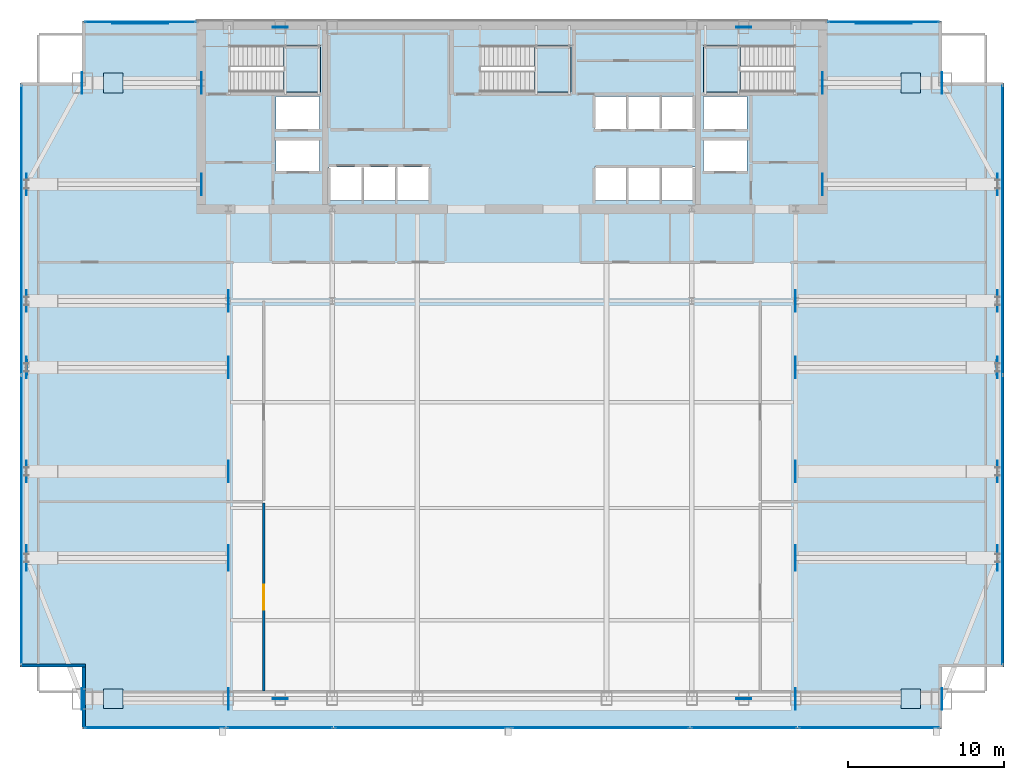
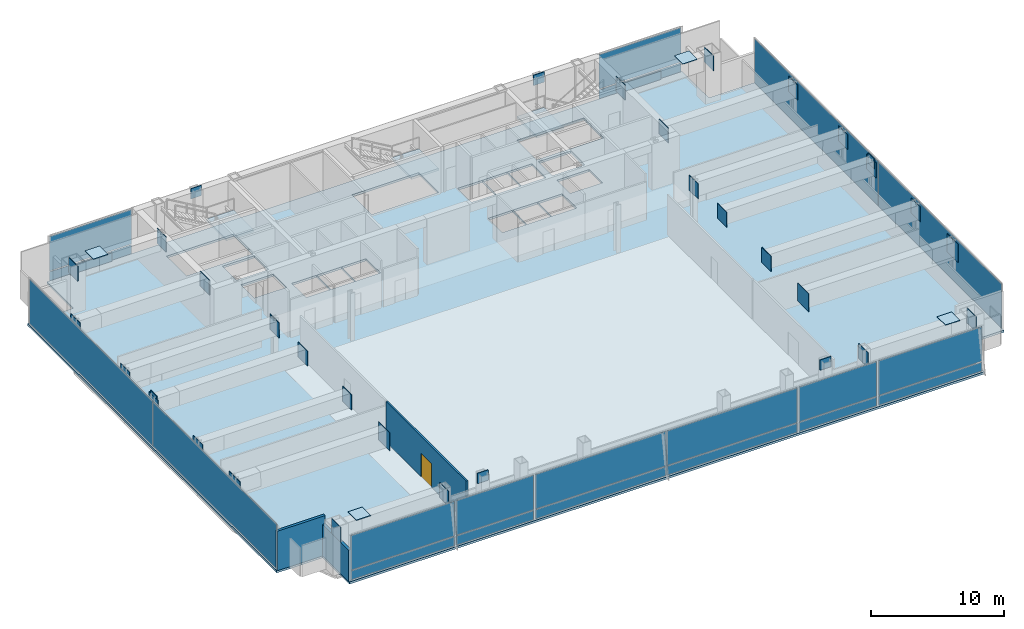
# One storey, part 20 of 25: 60 plates, 4 slabs, 3 walls, 1 door, 1 opening, 12 elements without a shape of their own.
"""IFC4 building model written with IfcOpenShell, lengths in metres."""

from ifc_helpers import new_model, si_unit, direction, frame, frame_2d, origin, origin_2d, place, context, subcontext, project, spatial, polyline, rectangle, outline, extrude, material, layer, layer_set, type_object, element, fill, aggregate, save


model = new_model("IFC4")

# Units and contexts
model_context = context("Model", 3, precision=1e-05, world=origin(), true_north=direction((0.0, 1.0)))
body_context = subcontext(model_context, "Body", "Model", "MODEL_VIEW")
ifc_project = project(units=[si_unit("LENGTHUNIT", "METRE"), si_unit("AREAUNIT", "SQUARE_METRE"), si_unit("VOLUMEUNIT", "CUBIC_METRE"), si_unit("PLANEANGLEUNIT", "RADIAN"), si_unit("MASSUNIT", "GRAM", prefix="KILO")], contexts=[model_context])

# Site, building, storey
site_placement = place(None, origin())
site = spatial("IfcSite", under=ifc_project, at=site_placement, CompositionType="ELEMENT")
building_placement = place(site_placement, origin())
building = spatial("IfcBuilding", under=site, at=building_placement, Name="Khoronbel Lancet Exchange", CompositionType="ELEMENT")
storey_placement = place(building_placement, frame((0.0, 0.0, 184.199951171875)))
storey = spatial("IfcBuildingStorey", under=building, at=storey_placement, Name="L46", CompositionType="ELEMENT", Elevation=184.199951171875)

# Curtain wall, plates
ifc_material_1 = material(Name="Low-E Solar Control Insulating Glass", Category="glass")
curtain_wall_type_1 = type_object("IfcCurtainWallType", Name="CW-4", PredefinedType="NOTDEFINED", material=ifc_material_1)
curtain_wall_1_placement = place(storey_placement, origin())
curtain_wall_1 = element("IfcCurtainWall", 1, at=curtain_wall_1_placement, inside=storey, type_object=curtain_wall_type_1, Name="Unitised curtain wall CW-L46-E03", PredefinedType="NOTDEFINED")
ifc_material_2 = material(Name="Bronze-Anodised Aluminium 6063-T6", Category="aluminium")
ifc_layer_1 = layer(ifc_material_2, 0.050048828125, Name="Bronze-Anodised Aluminium 6063-T6")
ifc_layer_set_1 = layer_set([ifc_layer_1], Name="Bronze-Anodised Aluminium 6063-T6")
plate_type_1 = type_object("IfcPlateType", Name="PLT-CSP1", PredefinedType="SHEET", material=ifc_layer_set_1)
plate_1_placement = place(storey_placement, frame((4.93994140625, 21.638671875, 0.0849609375), z_axis=(0.0, 0.0, 1.0), x_axis=(0.0, 1.0, 0.0)))
plate_1 = element("IfcPlate", 2, at=plate_1_placement, type_object=plate_type_1, Name="CW4 panel 1.1", PredefinedType="CURTAIN_PANEL", context=body_context, shape_type="SweptSolid", body=[
    extrude(rectangle(XDim=18.547607421875, YDim=0.0380859375, at=origin_2d()), origin(), (0.0, 0.0, 1.0), 4.070068359375),
])
plate_2_placement = place(storey_placement, frame((4.93994140625, 40.26123046875, 0.0849609375), z_axis=(0.0, 0.0, 1.0), x_axis=(0.0, 1.0, 0.0)))
plate_2 = element("IfcPlate", 3, at=plate_2_placement, type_object=plate_type_1, Name="CW4 panel 2.1", PredefinedType="CURTAIN_PANEL", context=body_context, shape_type="SweptSolid", body=[
    extrude(rectangle(XDim=18.547607421875, YDim=0.0380859375, at=origin_2d()), origin(), (0.0, 0.0, 1.0), 4.070068359375),
])
aggregate(curtain_wall_1, [plate_1, plate_2])

# Curtain wall, plate
curtain_wall_type_2 = type_object("IfcCurtainWallType", Name="CW-3", PredefinedType="NOTDEFINED", material=ifc_material_1)
curtain_wall_2_placement = place(storey_placement, origin())
curtain_wall_2 = element("IfcCurtainWall", 4, at=curtain_wall_2_placement, inside=storey, type_object=curtain_wall_type_2, Name="Unitised curtain wall CW-L46-NWFLK", PredefinedType="NOTDEFINED")
plate_3_placement = place(storey_placement, frame((12.580078125, 53.550048828125, 0.0498046875), z_axis=(0.0, 0.0, 1.0), x_axis=(-1.0, 0.0, 0.0)))
plate_3 = element("IfcPlate", 5, at=plate_3_placement, type_object=plate_type_1, Name="Insulated bronze spandrel cassette CW-L46-NWFLK", PredefinedType="SHEET", context=body_context, shape_type="SweptSolid", body=[
    extrude(rectangle(XDim=3.60009765625, YDim=0.050048828125, at=origin_2d()), origin(), (0.0, 0.0, 1.0), 0.800048828125),
])

curtain_wall_3_placement = place(storey_placement, origin())
curtain_wall_3 = element("IfcCurtainWall", 6, at=curtain_wall_3_placement, inside=storey, type_object=curtain_wall_type_2, Name="Unitised curtain wall CW-L46-NEFLK", PredefinedType="NOTDEFINED")
plate_4_placement = place(storey_placement, frame((60.320068359375, 53.550048828125, 0.0498046875), z_axis=(0.0, 0.0, 1.0), x_axis=(-1.0, 0.0, 0.0)))
plate_4 = element("IfcPlate", 7, at=plate_4_placement, type_object=plate_type_1, Name="Insulated bronze spandrel cassette CW-L46-NEFLK", PredefinedType="SHEET", context=body_context, shape_type="SweptSolid", body=[
    extrude(rectangle(XDim=3.60009765625, YDim=0.050048828125, at=origin_2d()), origin(), (0.0, 0.0, 1.0), 0.800048828125),
])

# Curtain wall, plates
curtain_wall_4_placement = place(storey_placement, origin())
curtain_wall_4 = element("IfcCurtainWall", 8, at=curtain_wall_4_placement, inside=storey, type_object=curtain_wall_type_1, Name="Unitised curtain wall CW-L46-E09", PredefinedType="NOTDEFINED")
plate_5_placement = place(storey_placement, frame((67.9599609375, 40.26123046875, 0.0849609375), z_axis=(0.0, 0.0, 1.0), x_axis=(0.0, -1.0, 0.0)))
plate_5 = element("IfcPlate", 9, at=plate_5_placement, type_object=plate_type_1, Name="CW4 panel 1.1", PredefinedType="CURTAIN_PANEL", context=body_context, shape_type="SweptSolid", body=[
    extrude(rectangle(XDim=18.547607421875, YDim=0.0380859375, at=origin_2d()), origin(), (0.0, 0.0, 1.0), 4.070068359375),
])
plate_6_placement = place(storey_placement, frame((67.9599609375, 21.638671875, 0.0849609375), z_axis=(0.0, 0.0, 1.0), x_axis=(0.0, -1.0, 0.0)))
plate_6 = element("IfcPlate", 10, at=plate_6_placement, type_object=plate_type_1, Name="CW4 panel 2.1", PredefinedType="CURTAIN_PANEL", context=body_context, shape_type="SweptSolid", body=[
    extrude(rectangle(XDim=18.547607421875, YDim=0.0380859375, at=origin_2d()), origin(), (0.0, 0.0, 1.0), 4.070068359375),
])
aggregate(curtain_wall_4, [plate_5, plate_6])

curtain_wall_5_placement = place(storey_placement, origin())
curtain_wall_5 = element("IfcCurtainWall", 11, at=curtain_wall_5_placement, inside=storey, type_object=curtain_wall_type_2, Name="Unitised curtain wall CW-L46-SWB", PredefinedType="NOTDEFINED")
plate_7_placement = place(storey_placement, frame((21.550048828125, 8.2900390625, 0.0849609375), z_axis=(0.0, 0.0, 1.0), x_axis=(1.0, 0.0, 0.0)))
plate_7 = element("IfcPlate", 12, at=plate_7_placement, type_object=plate_type_1, Name="CW3 panel 1.1", PredefinedType="CURTAIN_PANEL", context=body_context, shape_type="SweptSolid", body=[
    extrude(rectangle(XDim=6.72998046875, YDim=0.0380859375, at=origin_2d()), origin(), (0.0, 0.0, 1.0), 0.822509765625),
])
plate_8_placement = place(storey_placement, frame((21.550048828125, 8.2900390625, 0.992431640625), z_axis=(0.0, 0.0, 1.0), x_axis=(1.0, 0.0, 0.0)))
plate_8 = element("IfcPlate", 13, at=plate_8_placement, type_object=plate_type_1, Name="CW3 panel 1.2", PredefinedType="CURTAIN_PANEL", context=body_context, shape_type="SweptSolid", body=[
    extrude(rectangle(XDim=6.72998046875, YDim=0.0380859375, at=origin_2d()), origin(), (0.0, 0.0, 1.0), 3.16259765625),
])
aggregate(curtain_wall_5, [plate_7, plate_8])

curtain_wall_6_placement = place(storey_placement, origin())
curtain_wall_6 = element("IfcCurtainWall", 14, at=curtain_wall_6_placement, inside=storey, type_object=curtain_wall_type_2, Name="Unitised curtain wall CW-L46-SEB", PredefinedType="NOTDEFINED")
plate_9_placement = place(storey_placement, frame((51.35009765625, 8.2900390625, 0.0849609375), z_axis=(0.0, 0.0, 1.0), x_axis=(1.0, 0.0, 0.0)))
plate_9 = element("IfcPlate", 15, at=plate_9_placement, type_object=plate_type_1, Name="CW3 panel 1.1", PredefinedType="CURTAIN_PANEL", context=body_context, shape_type="SweptSolid", body=[
    extrude(rectangle(XDim=6.72998046875, YDim=0.0380859375, at=origin_2d()), origin(), (0.0, 0.0, 1.0), 0.822509765625),
])
plate_10_placement = place(storey_placement, frame((51.35009765625, 8.2900390625, 0.992431640625), z_axis=(0.0, 0.0, 1.0), x_axis=(1.0, 0.0, 0.0)))
plate_10 = element("IfcPlate", 16, at=plate_10_placement, type_object=plate_type_1, Name="CW3 panel 1.2", PredefinedType="CURTAIN_PANEL", context=body_context, shape_type="SweptSolid", body=[
    extrude(rectangle(XDim=6.72998046875, YDim=0.0380859375, at=origin_2d()), origin(), (0.0, 0.0, 1.0), 3.16259765625),
])
aggregate(curtain_wall_6, [plate_9, plate_10])

# Plate
ifc_layer_2 = layer(ifc_material_1, 0.035888671875, Name="Low-E Solar Control Insulating Glass")
ifc_layer_set_2 = layer_set([ifc_layer_2], Name="Low-E Solar Control Insulating Glass")
plate_type_2 = type_object("IfcPlateType", Name="PLT-CWP1", PredefinedType="CURTAIN_PANEL", material=ifc_layer_set_2)
plate_11_placement = place(storey_placement, frame((12.580078125, 53.610107421875, 0.0849609375), z_axis=(0.0, 0.0, 1.0), x_axis=(-1.0, 0.0, 0.0)))
plate_11 = element("IfcPlate", 17, at=plate_11_placement, type_object=plate_type_2, Name="CW3 panel 1.1", PredefinedType="CURTAIN_PANEL", context=body_context, shape_type="SweptSolid", body=[
    extrude(rectangle(XDim=7.110107421875, YDim=0.0380859375, at=origin_2d()), origin(), (0.0, 0.0, 1.0), 0.822509765625),
])

plate_12_placement = place(storey_placement, frame((12.580078125, 53.610107421875, 0.992431640625), z_axis=(0.0, 0.0, 1.0), x_axis=(-1.0, 0.0, 0.0)))
plate_12 = element("IfcPlate", 18, at=plate_12_placement, type_object=plate_type_2, Name="CW3 panel 1.2", PredefinedType="CURTAIN_PANEL", context=body_context, shape_type="SweptSolid", body=[
    extrude(rectangle(XDim=7.110107421875, YDim=0.0380859375, at=origin_2d()), origin(), (0.0, 0.0, 1.0), 3.16259765625),
])

aggregate(curtain_wall_2, [plate_11, plate_12, plate_3])

plate_13_placement = place(storey_placement, frame((60.320068359375, 53.610107421875, 0.0849609375), z_axis=(0.0, 0.0, 1.0), x_axis=(-1.0, 0.0, 0.0)))
plate_13 = element("IfcPlate", 19, at=plate_13_placement, type_object=plate_type_2, Name="CW3 panel 1.1", PredefinedType="CURTAIN_PANEL", context=body_context, shape_type="SweptSolid", body=[
    extrude(rectangle(XDim=7.110107421875, YDim=0.0380859375, at=origin_2d()), origin(), (0.0, 0.0, 1.0), 0.822509765625),
])

plate_14_placement = place(storey_placement, frame((60.320068359375, 53.610107421875, 0.992431640625), z_axis=(0.0, 0.0, 1.0), x_axis=(-1.0, 0.0, 0.0)))
plate_14 = element("IfcPlate", 20, at=plate_14_placement, type_object=plate_type_2, Name="CW3 panel 1.2", PredefinedType="CURTAIN_PANEL", context=body_context, shape_type="SweptSolid", body=[
    extrude(rectangle(XDim=7.110107421875, YDim=0.0380859375, at=origin_2d()), origin(), (0.0, 0.0, 1.0), 3.16259765625),
])

aggregate(curtain_wall_3, [plate_13, plate_14, plate_4])

# Curtain wall, plates
curtain_wall_7_placement = place(storey_placement, origin())
curtain_wall_7 = element("IfcCurtainWall", 21, at=curtain_wall_7_placement, inside=storey, type_object=curtain_wall_type_2, Name="Unitised curtain wall CW-L46-SWV", PredefinedType="NOTDEFINED")
plate_15_placement = place(storey_placement, frame((13.52001953125, 8.2900390625, 0.0849609375), z_axis=(0.0, 0.0, 1.0), x_axis=(1.0, 0.0, 0.0)))
plate_15 = element("IfcPlate", 22, at=plate_15_placement, type_object=plate_type_2, Name="CW3 panel 1.1", PredefinedType="CURTAIN_PANEL", context=body_context, shape_type="SweptSolid", body=[
    extrude(rectangle(XDim=8.989990234375, YDim=0.0380859375, at=origin_2d()), origin(), (0.0, 0.0, 1.0), 0.822509765625),
])
plate_16_placement = place(storey_placement, frame((13.52001953125, 8.2900390625, 0.992431640625), z_axis=(0.0, 0.0, 1.0), x_axis=(1.0, 0.0, 0.0)))
plate_16 = element("IfcPlate", 23, at=plate_16_placement, type_object=plate_type_2, Name="CW3 panel 1.2", PredefinedType="CURTAIN_PANEL", context=body_context, shape_type="SweptSolid", body=[
    extrude(rectangle(XDim=8.989990234375, YDim=0.0380859375, at=origin_2d()), origin(), (0.0, 0.0, 1.0), 3.16259765625),
])
aggregate(curtain_wall_7, [plate_15, plate_16])

curtain_wall_8_placement = place(storey_placement, origin())
curtain_wall_8 = element("IfcCurtainWall", 24, at=curtain_wall_8_placement, inside=storey, type_object=curtain_wall_type_2, Name="Unitised curtain wall CW-L46-SCV", PredefinedType="NOTDEFINED")
plate_17_placement = place(storey_placement, frame((30.746337890625, 8.2900390625, 0.0849609375), z_axis=(0.0, 0.0, 1.0), x_axis=(1.0, 0.0, 0.0)))
plate_17 = element("IfcPlate", 25, at=plate_17_placement, type_object=plate_type_2, Name="CW3 panel 1.1", PredefinedType="CURTAIN_PANEL", context=body_context, shape_type="SweptSolid", body=[
    extrude(rectangle(XDim=11.322509765625, YDim=0.0380859375, at=origin_2d()), origin(), (0.0, 0.0, 1.0), 0.822509765625),
])
plate_18_placement = place(storey_placement, frame((30.746337890625, 8.2900390625, 0.992431640625), z_axis=(0.0, 0.0, 1.0), x_axis=(1.0, 0.0, 0.0)))
plate_18 = element("IfcPlate", 26, at=plate_18_placement, type_object=plate_type_2, Name="CW3 panel 1.2", PredefinedType="CURTAIN_PANEL", context=body_context, shape_type="SweptSolid", body=[
    extrude(rectangle(XDim=11.322509765625, YDim=0.0380859375, at=origin_2d()), origin(), (0.0, 0.0, 1.0), 3.16259765625),
])
plate_19_placement = place(storey_placement, frame((42.15380859375, 8.2900390625, 0.0849609375), z_axis=(0.0, 0.0, 1.0), x_axis=(1.0, 0.0, 0.0)))
plate_19 = element("IfcPlate", 27, at=plate_19_placement, type_object=plate_type_2, Name="CW3 panel 2.1", PredefinedType="CURTAIN_PANEL", context=body_context, shape_type="SweptSolid", body=[
    extrude(rectangle(XDim=11.322509765625, YDim=0.0380859375, at=origin_2d()), origin(), (0.0, 0.0, 1.0), 0.822509765625),
])
plate_20_placement = place(storey_placement, frame((42.15380859375, 8.2900390625, 0.992431640625), z_axis=(0.0, 0.0, 1.0), x_axis=(1.0, 0.0, 0.0)))
plate_20 = element("IfcPlate", 28, at=plate_20_placement, type_object=plate_type_2, Name="CW3 panel 2.2", PredefinedType="CURTAIN_PANEL", context=body_context, shape_type="SweptSolid", body=[
    extrude(rectangle(XDim=11.322509765625, YDim=0.0380859375, at=origin_2d()), origin(), (0.0, 0.0, 1.0), 3.16259765625),
])
aggregate(curtain_wall_8, [plate_17, plate_18, plate_19, plate_20])

curtain_wall_9_placement = place(storey_placement, origin())
curtain_wall_9 = element("IfcCurtainWall", 29, at=curtain_wall_9_placement, inside=storey, type_object=curtain_wall_type_2, Name="Unitised curtain wall CW-L46-SEV", PredefinedType="NOTDEFINED")
plate_21_placement = place(storey_placement, frame((59.3798828125, 8.2900390625, 0.0849609375), z_axis=(0.0, 0.0, 1.0), x_axis=(1.0, 0.0, 0.0)))
plate_21 = element("IfcPlate", 30, at=plate_21_placement, type_object=plate_type_2, Name="CW3 panel 1.1", PredefinedType="CURTAIN_PANEL", context=body_context, shape_type="SweptSolid", body=[
    extrude(rectangle(XDim=8.989990234375, YDim=0.0380859375, at=origin_2d()), origin(), (0.0, 0.0, 1.0), 0.822509765625),
])
plate_22_placement = place(storey_placement, frame((59.3798828125, 8.2900390625, 0.992431640625), z_axis=(0.0, 0.0, 1.0), x_axis=(1.0, 0.0, 0.0)))
plate_22 = element("IfcPlate", 31, at=plate_22_placement, type_object=plate_type_2, Name="CW3 panel 1.2", PredefinedType="CURTAIN_PANEL", context=body_context, shape_type="SweptSolid", body=[
    extrude(rectangle(XDim=8.989990234375, YDim=0.0380859375, at=origin_2d()), origin(), (0.0, 0.0, 1.0), 3.16259765625),
])
aggregate(curtain_wall_9, [plate_21, plate_22])

# Plates
ifc_material_3 = material(Name="Steel S460", Category="steel")
ifc_layer_3 = layer(ifc_material_3, 0.044921875, Name="Steel S460")
ifc_layer_set_3 = layer_set([ifc_layer_3], Name="Steel S460")
plate_type_3 = type_object("IfcPlateType", Name="PLT-ECP1", PredefinedType="USERDEFINED", material=ifc_layer_set_3)
for number, where, z_axis, x_axis, name in (
    (32, (8.840087890625, 10.14990234375, 2.89013671875), (0.0, 0.0, 1.0), (-1.0, 0.0, 0.0), "Hollow end cap plate PLT-CAP-BM-L46-ZTG-MC-SW-0"),
    (33, (18.235107421875, 10.14990234375, 2.89013671875), (0.0, 0.0, 1.0), (1.0, 0.0, 0.0), "Hollow end cap plate PLT-CAP-BM-L46-ZTG-MC-SW-1"),
    (34, (54.6650390625, 10.14990234375, 2.89013671875), (0.0, 0.0, 1.0), (-1.0, 0.0, 0.0), "Hollow end cap plate PLT-CAP-BM-L46-ZTG-MC-SE-0"),
    (35, (64.06005859375, 10.14990234375, 2.89013671875), (0.0, 0.0, 1.0), (1.0, 0.0, 0.0), "Hollow end cap plate PLT-CAP-BM-L46-ZTG-MC-SE-1"),
    (36, (8.840087890625, 49.699951171875, 2.89013671875), (0.0, 0.0, 1.0), (-1.0, 0.0, 0.0), "Hollow end cap plate PLT-CAP-BM-L46-ZTG-MC-NW-0"),
    (37, (16.510009765625, 49.699951171875, 2.89013671875), (0.0, 0.0, 1.0), (1.0, 0.0, 0.0), "Hollow end cap plate PLT-CAP-BM-L46-ZTG-MC-NW-1"),
    (38, (56.389892578125, 49.699951171875, 2.89013671875), (0.0, 0.0, 1.0), (-1.0, 0.0, 0.0), "Hollow end cap plate PLT-CAP-BM-L46-ZTG-MC-NE-0"),
    (39, (64.06005859375, 49.699951171875, 2.89013671875), (0.0, 0.0, 1.0), (1.0, 0.0, 0.0), "Hollow end cap plate PLT-CAP-BM-L46-ZTG-MC-NE-1"),
):
    element("IfcPlate", number, at=place(storey_placement, frame(where, z_axis=z_axis, x_axis=x_axis)), inside=storey, type_object=plate_type_3, Name=name, ObjectType="STIFFENER_PLATE", PredefinedType="USERDEFINED", context=body_context, shape_type="SweptSolid", body=[
        extrude(rectangle(XDim=0.044921875, YDim=1.3798828125, at=origin_2d()), origin(), (0.0, 0.0, 1.0), 1.3798828125),
    ])
for number, where, z_axis, x_axis, name in (
    (40, (5.260009765625, 19.199951171875, 2.60986328125), (0.0, 0.0, 1.0), (-1.0, 0.0, 0.0), "Hollow end cap plate PLT-CAP-BM-L46-ZTG-LW1-0"),
    (41, (18.235107421875, 19.199951171875, 2.60986328125), (0.0, 0.0, 1.0), (1.0, 0.0, 0.0), "Hollow end cap plate PLT-CAP-BM-L46-ZTG-LW1-1"),
    (42, (54.6650390625, 19.199951171875, 2.60986328125), (0.0, 0.0, 1.0), (-1.0, 0.0, 0.0), "Hollow end cap plate PLT-CAP-BM-L46-ZTG-LE1-0"),
    (43, (67.639892578125, 19.199951171875, 2.60986328125), (0.0, 0.0, 1.0), (1.0, 0.0, 0.0), "Hollow end cap plate PLT-CAP-BM-L46-ZTG-LE1-1"),
):
    element("IfcPlate", number, at=place(storey_placement, frame(where, z_axis=z_axis, x_axis=x_axis)), inside=storey, type_object=plate_type_3, Name=name, ObjectType="STIFFENER_PLATE", PredefinedType="USERDEFINED", context=body_context, shape_type="SweptSolid", body=[
        extrude(rectangle(XDim=0.044921875, YDim=1.659912109375, at=origin_2d()), origin(), (0.0, 0.0, 1.0), 1.659912109375),
    ])
for number, where, z_axis, x_axis, name in (
    (44, (5.260009765625, 24.75, 2.89013671875), (0.0, 0.0, 1.0), (-1.0, 0.0, 0.0), "Hollow end cap plate PLT-CAP-BM-L46-ZTG-LW2-0"),
    (45, (18.235107421875, 24.75, 2.89013671875), (0.0, 0.0, 1.0), (1.0, 0.0, 0.0), "Hollow end cap plate PLT-CAP-BM-L46-ZTG-LW2-1"),
    (46, (54.6650390625, 24.75, 2.89013671875), (0.0, 0.0, 1.0), (-1.0, 0.0, 0.0), "Hollow end cap plate PLT-CAP-BM-L46-ZTG-LE2-0"),
    (47, (67.639892578125, 24.75, 2.89013671875), (0.0, 0.0, 1.0), (1.0, 0.0, 0.0), "Hollow end cap plate PLT-CAP-BM-L46-ZTG-LE2-1"),
    (48, (5.260009765625, 31.425048828125, 2.89013671875), (0.0, 0.0, 1.0), (-1.0, 0.0, 0.0), "Hollow end cap plate PLT-CAP-BM-L46-ZTG-LW3-0"),
    (49, (18.235107421875, 31.425048828125, 2.89013671875), (0.0, 0.0, 1.0), (1.0, 0.0, 0.0), "Hollow end cap plate PLT-CAP-BM-L46-ZTG-LW3-1"),
    (50, (54.6650390625, 31.425048828125, 2.89013671875), (0.0, 0.0, 1.0), (-1.0, 0.0, 0.0), "Hollow end cap plate PLT-CAP-BM-L46-ZTG-LE3-0"),
    (51, (67.639892578125, 31.425048828125, 2.89013671875), (0.0, 0.0, 1.0), (1.0, 0.0, 0.0), "Hollow end cap plate PLT-CAP-BM-L46-ZTG-LE3-1"),
    (52, (5.260009765625, 35.699951171875, 2.89013671875), (0.0, 0.0, 1.0), (-1.0, 0.0, 0.0), "Hollow end cap plate PLT-CAP-BM-L46-ZTG-LW4-0"),
    (53, (18.235107421875, 35.699951171875, 2.89013671875), (0.0, 0.0, 1.0), (1.0, 0.0, 0.0), "Hollow end cap plate PLT-CAP-BM-L46-ZTG-LW4-1"),
    (54, (54.6650390625, 35.699951171875, 2.89013671875), (0.0, 0.0, 1.0), (-1.0, 0.0, 0.0), "Hollow end cap plate PLT-CAP-BM-L46-ZTG-LE4-0"),
    (55, (67.639892578125, 35.699951171875, 2.89013671875), (0.0, 0.0, 1.0), (1.0, 0.0, 0.0), "Hollow end cap plate PLT-CAP-BM-L46-ZTG-LE4-1"),
    (56, (5.260009765625, 43.199951171875, 2.89013671875), (0.0, 0.0, 1.0), (-1.0, 0.0, 0.0), "Hollow end cap plate PLT-CAP-BM-L46-ZTG-LW5-0"),
    (57, (16.510009765625, 43.199951171875, 2.89013671875), (0.0, 0.0, 1.0), (1.0, 0.0, 0.0), "Hollow end cap plate PLT-CAP-BM-L46-ZTG-LW5-1"),
    (58, (56.389892578125, 43.199951171875, 2.89013671875), (0.0, 0.0, 1.0), (-1.0, 0.0, 0.0), "Hollow end cap plate PLT-CAP-BM-L46-ZTG-LE5-0"),
    (59, (67.639892578125, 43.199951171875, 2.89013671875), (0.0, 0.0, 1.0), (1.0, 0.0, 0.0), "Hollow end cap plate PLT-CAP-BM-L46-ZTG-LE5-1"),
):
    element("IfcPlate", number, at=place(storey_placement, frame(where, z_axis=z_axis, x_axis=x_axis)), inside=storey, type_object=plate_type_3, Name=name, ObjectType="STIFFENER_PLATE", PredefinedType="USERDEFINED", context=body_context, shape_type="SweptSolid", body=[
        extrude(rectangle(XDim=0.044921875, YDim=1.3798828125, at=origin_2d()), origin(), (0.0, 0.0, 1.0), 1.3798828125),
    ])
plate_23_placement = place(storey_placement, frame((0.0, 0.0, 4.366943359375)))
element("IfcPlate", 60, at=plate_23_placement, inside=storey, type_object=plate_type_3, Name="Hollow end cap plate PLT-CAP-COL-L47-MC-SW-BOT", ObjectType="STIFFENER_PLATE", PredefinedType="USERDEFINED", context=body_context, shape_type="SweptSolid", body=[
    extrude(outline(polyline([(10.219970703125, 9.52001953125), (11.47998046875, 9.52001953125), (11.47998046875, 10.780029296875), (10.219970703125, 10.780029296875), (10.219970703125, 9.52001953125)])), origin(), (0.0, 0.0, 1.0), 0.045166015625),
])
plate_24_placement = place(storey_placement, frame((0.0, 0.0, 4.366943359375)))
element("IfcPlate", 61, at=plate_24_placement, inside=storey, type_object=plate_type_3, Name="Hollow end cap plate PLT-CAP-COL-L47-MC-SE-BOT", ObjectType="STIFFENER_PLATE", PredefinedType="USERDEFINED", context=body_context, shape_type="SweptSolid", body=[
    extrude(outline(polyline([(61.419921875, 9.52001953125), (62.679931640625, 9.52001953125), (62.679931640625, 10.780029296875), (61.419921875, 10.780029296875), (61.419921875, 9.52001953125)])), origin(), (0.0, 0.0, 1.0), 0.045166015625),
])
plate_25_placement = place(storey_placement, frame((0.0, 0.0, 4.366943359375)))
element("IfcPlate", 62, at=plate_25_placement, inside=storey, type_object=plate_type_3, Name="Hollow end cap plate PLT-CAP-COL-L47-MC-NE-BOT", ObjectType="STIFFENER_PLATE", PredefinedType="USERDEFINED", context=body_context, shape_type="SweptSolid", body=[
    extrude(outline(polyline([(61.419921875, 49.070068359375), (62.679931640625, 49.070068359375), (62.679931640625, 50.330078125), (61.419921875, 50.330078125), (61.419921875, 49.070068359375)])), origin(), (0.0, 0.0, 1.0), 0.045166015625),
])
plate_26_placement = place(storey_placement, frame((0.0, 0.0, 4.366943359375)))
element("IfcPlate", 63, at=plate_26_placement, inside=storey, type_object=plate_type_3, Name="Hollow end cap plate PLT-CAP-COL-L47-MC-NW-BOT", ObjectType="STIFFENER_PLATE", PredefinedType="USERDEFINED", context=body_context, shape_type="SweptSolid", body=[
    extrude(outline(polyline([(10.219970703125, 49.070068359375), (11.47998046875, 49.070068359375), (11.47998046875, 50.330078125), (10.219970703125, 50.330078125), (10.219970703125, 49.070068359375)])), origin(), (0.0, 0.0, 1.0), 0.045166015625),
])
ifc_layer_4 = layer(ifc_material_3, 0.06005859375, Name="Steel S460")
ifc_layer_set_4 = layer_set([ifc_layer_4], Name="Steel S460")
plate_type_4 = type_object("IfcPlateType", Name="PLT-ND2", PredefinedType="USERDEFINED", material=ifc_layer_set_4)
for number, where, z_axis, x_axis, name in (
    (64, (21.5625, 10.14990234375, 3.5751953125), (0.0, 0.0, 1.0), (1.0, 0.0, 0.0), "ND2 perimeter brace node gusset T15-S-W"),
    (65, (51.33740234375, 10.14990234375, 3.5751953125), (0.0, 0.0, 1.0), (1.0, 0.0, 0.0), "ND2 perimeter brace node gusset T15-S-E"),
    (66, (21.5625, 53.280029296875, 3.5751953125), (0.0, 0.0, 1.0), (1.0, 0.0, 0.0), "ND2 perimeter brace node gusset T15-N-W"),
    (67, (51.33740234375, 53.280029296875, 3.5751953125), (0.0, 0.0, 1.0), (1.0, 0.0, 0.0), "ND2 perimeter brace node gusset T15-N-E"),
    (68, (5.27001953125, 31.425048828125, 3.5751953125), (0.0, 0.0, 1.0), (0.0, 1.0, 0.0), "ND2 perimeter brace node gusset T15-W-P"),
    (69, (67.6298828125, 31.425048828125, 3.5751953125), (0.0, 0.0, 1.0), (0.0, 1.0, 0.0), "ND2 perimeter brace node gusset T15-E-P"),
):
    element("IfcPlate", number, at=place(storey_placement, frame(where, z_axis=z_axis, x_axis=x_axis)), inside=storey, type_object=plate_type_4, Name=name, ObjectType="GUSSET_PLATE", PredefinedType="USERDEFINED", context=body_context, shape_type="SweptSolid", body=[
        extrude(rectangle(XDim=0.949951171875, YDim=0.06005859375, at=origin_2d()), origin(), (0.0, 0.0, 1.0), 0.949951171875),
    ])

# Slab
ifc_material_4 = material(Name="Concrete C40/50", Category="concrete")
ifc_layer_5 = layer(ifc_material_4, 0.199951171875, Name="Concrete C40/50")
ifc_layer_set_5 = layer_set([ifc_layer_5], Name="Concrete C40/50")
slab_type_1 = type_object("IfcSlabType", Name="SL-FL200", PredefinedType="FLOOR", material=ifc_layer_set_5)
slab_1_placement = place(storey_placement, frame((0.0, 0.0, -0.199951171875)))
element("IfcSlab", 70, at=slab_1_placement, inside=storey, type_object=slab_type_1, Name="Level L46 composite structural floor slab", PredefinedType="FLOOR", context=body_context, shape_type="SweptSolid", body=[
    extrude(outline(polyline([(8.85009765625, 8.199951171875), (64.050048828125, 8.199951171875), (64.050048828125, 12.199951171875), (68.050048828125, 12.199951171875), (68.050048828125, 16.199951171875), (68.050048828125, 45.699951171875), (68.050048828125, 49.699951171875), (64.050048828125, 49.699951171875), (64.050048828125, 53.699951171875), (8.85009765625, 53.699951171875), (8.85009765625, 49.699951171875), (4.85009765625, 49.699951171875), (4.85009765625, 45.699951171875), (4.85009765625, 16.199951171875), (4.85009765625, 12.199951171875), (8.85009765625, 12.199951171875), (8.85009765625, 8.199951171875)]), holes=[polyline([(18.324951171875, 49.1201171875), (24.14990234375, 49.1201171875), (24.14990234375, 52.10009765625), (18.324951171875, 52.10009765625), (18.324951171875, 49.1201171875)]), polyline([(48.75, 49.1201171875), (54.574951171875, 49.1201171875), (54.574951171875, 52.10009765625), (48.75, 52.10009765625), (48.75, 49.1201171875)]), polyline([(34.425048828125, 49.1201171875), (40.25, 49.1201171875), (40.25, 52.10009765625), (34.425048828125, 52.10009765625), (34.425048828125, 49.1201171875)]), polyline([(24.699951171875, 42.14990234375), (26.840087890625, 42.14990234375), (26.840087890625, 44.300048828125), (24.699951171875, 44.300048828125), (24.699951171875, 42.14990234375)]), polyline([(26.860107421875, 42.14990234375), (29.0, 42.14990234375), (29.0, 44.300048828125), (26.860107421875, 44.300048828125), (26.860107421875, 42.14990234375)]), polyline([(29.02001953125, 42.14990234375), (31.159912109375, 42.14990234375), (31.159912109375, 44.300048828125), (29.02001953125, 44.300048828125), (29.02001953125, 42.14990234375)]), polyline([(41.739990234375, 46.75), (43.8798828125, 46.75), (43.8798828125, 48.85009765625), (41.739990234375, 48.85009765625), (41.739990234375, 46.75)]), polyline([(43.89990234375, 46.75), (46.0400390625, 46.75), (46.0400390625, 48.85009765625), (43.89990234375, 48.85009765625), (43.89990234375, 46.75)]), polyline([(46.06005859375, 46.75), (48.199951171875, 46.75), (48.199951171875, 48.85009765625), (46.06005859375, 48.85009765625), (46.06005859375, 46.75)]), polyline([(41.739990234375, 42.14990234375), (43.8798828125, 42.14990234375), (43.8798828125, 44.300048828125), (41.739990234375, 44.300048828125), (41.739990234375, 42.14990234375)]), polyline([(43.89990234375, 42.14990234375), (46.0400390625, 42.14990234375), (46.0400390625, 44.300048828125), (43.89990234375, 44.300048828125), (43.89990234375, 42.14990234375)]), polyline([(46.06005859375, 42.14990234375), (48.199951171875, 42.14990234375), (48.199951171875, 44.300048828125), (46.06005859375, 44.300048828125), (46.06005859375, 42.14990234375)]), polyline([(21.300048828125, 46.75), (24.10009765625, 46.75), (24.10009765625, 48.85009765625), (21.300048828125, 48.85009765625), (21.300048828125, 46.75)]), polyline([(48.75, 46.75), (51.550048828125, 46.75), (51.550048828125, 48.85009765625), (48.75, 48.85009765625), (48.75, 46.75)]), polyline([(21.300048828125, 44.050048828125), (24.10009765625, 44.050048828125), (24.10009765625, 46.050048828125), (21.300048828125, 46.050048828125), (21.300048828125, 44.050048828125)]), polyline([(48.75, 44.050048828125), (51.550048828125, 44.050048828125), (51.550048828125, 46.050048828125), (48.75, 46.050048828125), (48.75, 44.050048828125)])]), origin(), (0.0, 0.0, 1.0), 0.199951171875),
])

# Stair, slab
stair_type = type_object("IfcStairType", Name="STR-CORE150", PredefinedType="HALF_TURN_STAIR", material=ifc_material_4)
stair_1_placement = place(storey_placement, origin())
stair_1 = element("IfcStair", 71, at=stair_1_placement, inside=storey, type_object=stair_type, Name="L46 Protected Exit Stair ST1", PredefinedType="HALF_TURN_STAIR")
ifc_layer_6 = layer(ifc_material_4, 0.199951171875, Name="Concrete C40/50")
ifc_layer_set_6 = layer_set([ifc_layer_6], Name="Concrete C40/50")
slab_type_2 = type_object("IfcSlabType", Name="SL-LND180", PredefinedType="LANDING", material=ifc_layer_set_6)
slab_2_placement = place(storey_placement, frame((0.0, 0.0, 2.0)))
slab_2 = element("IfcSlab", 72, at=slab_2_placement, type_object=slab_type_2, Name="ST1 landing 1", PredefinedType="LANDING", context=body_context, shape_type="SweptSolid", body=[
    extrude(outline(polyline([(21.780029296875, 49.1201171875), (24.14990234375, 49.1201171875), (24.14990234375, 52.10009765625), (21.780029296875, 52.10009765625), (21.780029296875, 49.1201171875)])), origin(), (0.0, 0.0, 1.0), 0.199951171875),
])
aggregate(stair_1, [slab_2])

stair_2_placement = place(storey_placement, origin())
stair_2 = element("IfcStair", 73, at=stair_2_placement, inside=storey, type_object=stair_type, Name="L46 Protected Exit Stair ST2", PredefinedType="HALF_TURN_STAIR")
slab_3_placement = place(storey_placement, frame((0.0, 0.0, 2.0)))
slab_3 = element("IfcSlab", 74, at=slab_3_placement, type_object=slab_type_2, Name="ST2 landing 1", PredefinedType="LANDING", context=body_context, shape_type="SweptSolid", body=[
    extrude(outline(polyline([(51.1201171875, 52.10009765625), (48.75, 52.10009765625), (48.75, 49.1201171875), (51.1201171875, 49.1201171875), (51.1201171875, 52.10009765625)])), origin(), (0.0, 0.0, 1.0), 0.199951171875),
])
aggregate(stair_2, [slab_3])

stair_3_placement = place(storey_placement, origin())
stair_3 = element("IfcStair", 75, at=stair_3_placement, inside=storey, type_object=stair_type, Name="L46 Protected Exit Stair ST3", PredefinedType="HALF_TURN_STAIR")
slab_4_placement = place(storey_placement, frame((0.0, 0.0, 2.0)))
slab_4 = element("IfcSlab", 76, at=slab_4_placement, type_object=slab_type_2, Name="ST3 landing 1", PredefinedType="LANDING", context=body_context, shape_type="SweptSolid", body=[
    extrude(outline(polyline([(37.8798828125, 49.1201171875), (40.25, 49.1201171875), (40.25, 52.10009765625), (37.8798828125, 52.10009765625), (37.8798828125, 49.1201171875)])), origin(), (0.0, 0.0, 1.0), 0.199951171875),
])
aggregate(stair_3, [slab_4])

# Walls
ifc_material_5 = material(Name="Precast concrete C40/50", Category="concrete")
ifc_layer_7 = layer(ifc_material_5, 0.25, Name="Precast concrete C40/50")
ifc_layer_set_7 = layer_set([ifc_layer_7], Name="Precast concrete C40/50")
wall_type_1 = type_object("IfcWallType", Name="WL-EXT250", PredefinedType="SOLIDWALL", material=ifc_layer_set_7)
wall_1_placement = place(storey_placement, frame((8.93994140625, 8.27001953125, 0.0), z_axis=(0.0, 0.0, 1.0), x_axis=(0.0, 1.0, 0.0)))
element("IfcWall", 77, at=wall_1_placement, inside=storey, type_object=wall_type_1, Name="Level L46 notched-corner limestone pier 01", PredefinedType="SOLIDWALL", context=body_context, shape_type="SweptSolid", body=[
    extrude(rectangle(XDim=3.909912109375, YDim=0.219970703125, at=frame_2d((1.955078125, 0.0))), origin(), (0.0, 0.0, 1.0), 2.89013671875),
])
wall_2_placement = place(storey_placement, frame((9.050048828125, 12.2900390625, 0.0), z_axis=(0.0, 0.0, 1.0), x_axis=(-1.0, 0.0, 0.0)))
element("IfcWall", 78, at=wall_2_placement, inside=storey, type_object=wall_type_1, Name="Level L46 notched-corner limestone pier 02", PredefinedType="SOLIDWALL", context=body_context, shape_type="SweptSolid", body=[
    extrude(rectangle(XDim=4.130126953125, YDim=0.219970703125, at=frame_2d((2.06494140625, 0.0))), origin(), (0.0, 0.0, 1.0), 3.630126953125),
])

# Wall, opening, door
ifc_material_6 = material(Name="Fire-Rated Twin-Stud Acoustic Gypsum Partition 150 mm", Category="gypsum")
ifc_layer_8 = layer(ifc_material_6, 0.14990234375, Name="Fire-Rated Twin-Stud Acoustic Gypsum Partition 150 mm")
ifc_layer_set_8 = layer_set([ifc_layer_8], Name="Fire-Rated Twin-Stud Acoustic Gypsum Partition 150 mm")
wall_type_2 = type_object("IfcWallType", Name="WL-PRT150C", PredefinedType="PARTITIONING", material=ifc_layer_set_8)
wall_3_placement = place(storey_placement, frame((20.5, 10.6650390625, 0.0), z_axis=(0.0, 0.0, 1.0), x_axis=(0.0, 1.0, 0.0)))
wall_3 = element("IfcWall", 79, at=wall_3_placement, inside=storey, type_object=wall_type_2, Name="Level L46 interior partition PW-SL-W1", PredefinedType="PARTITIONING", context=body_context, shape_type="SweptSolid", body=[
    extrude(rectangle(XDim=12.054931640625, YDim=0.14990234375, at=frame_2d((6.02734375, 0.0))), origin(), (0.0, 0.0, 1.0), 3.72998046875),
])
opening_placement = place(wall_3_placement, frame((5.199951171875, 0.0, 0.0)))
opening = element("IfcOpeningElement", 80, at=opening_placement, cuts=wall_3, Name="Opening D3", PredefinedType="OPENING", context=body_context, shape_type="SweptSolid", body=[
    extrude(rectangle(XDim=1.60009765625, YDim=2.14990234375, at=frame_2d((0.800048828125, 1.074951171875))), frame((0.0, 0.0849609375, 0.0), z_axis=(0.0, -1.0, 0.0), x_axis=(1.0, 0.0, 0.0)), (0.0, 0.0, 1.0), 0.169921875),
])
ifc_material_7 = material(Name="Glazed Bronze-Framed Double Suite Door", Category="aluminium")
door_type = type_object("IfcDoorType", Name="DR-D3", OperationType="NOTDEFINED", PredefinedType="DOOR", material=ifc_material_7)
door_placement = place(opening_placement, origin())
door = element("IfcDoor", 81, at=door_placement, inside=storey, type_object=door_type, Name="Sky-lobby west dining lounge door L46-1", OperationType="DOUBLE_DOOR_SINGLE_SWING", OverallHeight=2.14990234375, OverallWidth=1.60009765625, PredefinedType="DOOR", context=body_context, shape_type="SweptSolid", body=[
    extrude(rectangle(XDim=1.60009765625, YDim=2.14990234375, at=frame_2d((0.800048828125, 1.074951171875))), frame((0.0, 0.02490234375, 0.0), z_axis=(0.0, -1.0, 0.0), x_axis=(1.0, 0.0, 0.0)), (0.0, 0.0, 1.0), 0.050048828125),
])
fill(opening, door)

save(model, "model.ifc")
